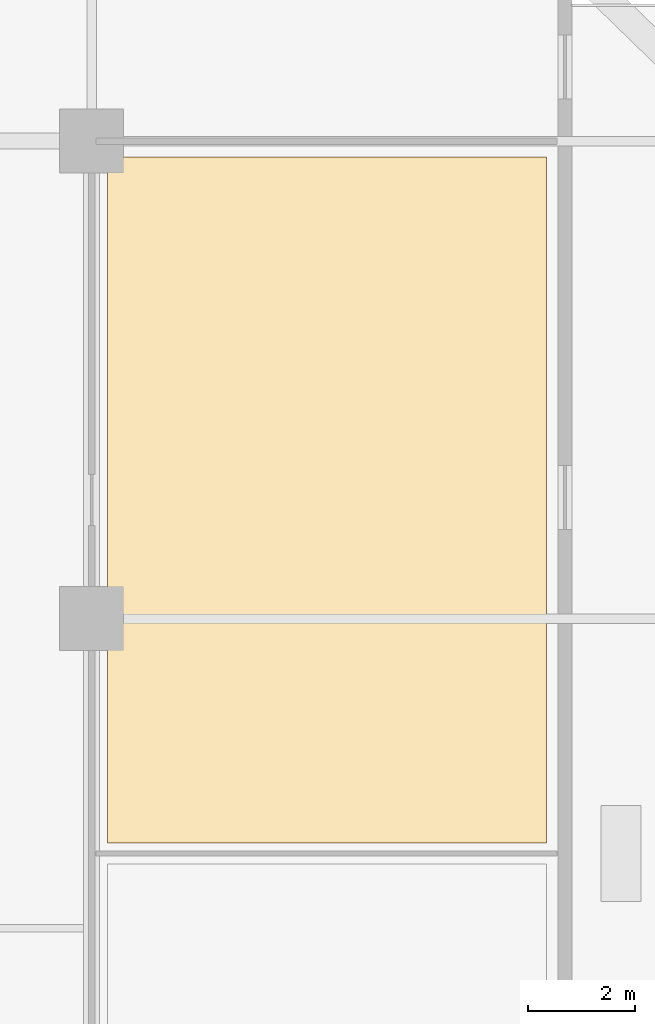
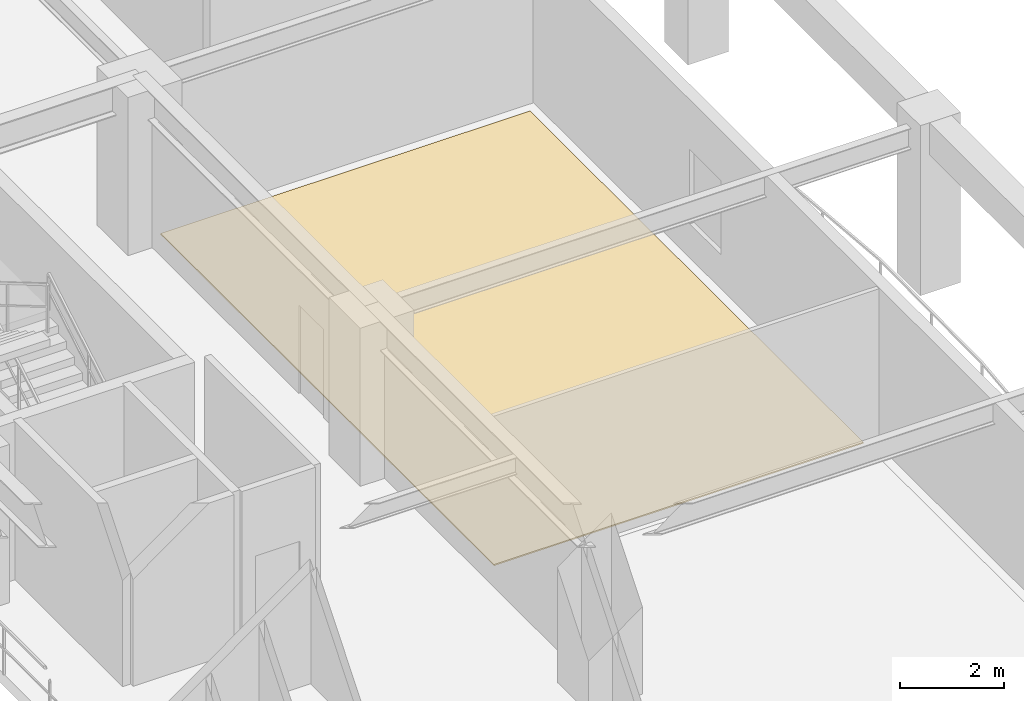
# One storey, part 12 of 13: 1 covering.
"""IFC4 building model written with IfcOpenShell, lengths in metres."""

from ifc_helpers import new_model, si_unit, direction, frame, origin, place, context, subcontext, project, spatial, polyline, outline, extrude, material, layer, layer_set, type_object, element, save


model = new_model("IFC4")

# Units and contexts
model_context = context("Model", 3, precision=1e-05, world=origin(), true_north=direction((0.0, 1.0)))
body_context = subcontext(model_context, "Body", "Model", "MODEL_VIEW")
ifc_project = project(units=[si_unit("LENGTHUNIT", "METRE"), si_unit("AREAUNIT", "SQUARE_METRE"), si_unit("VOLUMEUNIT", "CUBIC_METRE"), si_unit("PLANEANGLEUNIT", "RADIAN"), si_unit("MASSUNIT", "GRAM", prefix="KILO")], contexts=[model_context])

# Site, building, storey
site_placement = place(None, origin())
site = spatial("IfcSite", under=ifc_project, at=site_placement, CompositionType="ELEMENT")
building_placement = place(site_placement, origin())
building = spatial("IfcBuilding", under=site, at=building_placement, Name="Kundavana Baori Tower", CompositionType="ELEMENT")
storey_placement = place(building_placement, frame((0.0, 0.0, 34.0)))
storey = spatial("IfcBuildingStorey", under=building, at=storey_placement, Name="L07", CompositionType="ELEMENT", Elevation=34.0)

# Covering
ifc_material = material(Name="Honed Kota Stone and Terrazzo Flooring", Category="masonry")
ifc_layer = layer(ifc_material, 0.030029296875, Name="COV-INT-FLR")
ifc_layer_set = layer_set([ifc_layer], Name="Honed Kota Stone and Terrazzo Flooring")
covering_type = type_object("IfcCoveringType", Name="COV-INT-FLR", PredefinedType="FLOORING", material=ifc_layer_set)
covering_placement = place(storey_placement, origin())
element("IfcCovering", 1, at=covering_placement, inside=storey, type_object=covering_type, Name="L07 Room Finished Stone Flooring 4", PredefinedType="FLOORING", context=body_context, shape_type="SweptSolid", body=[
    extrude(outline(polyline([(43.10009765625, 28.800048828125), (51.320068359375, 28.800048828125), (51.320068359375, 41.64990234375), (43.10009765625, 41.64990234375), (43.10009765625, 28.800048828125)])), origin(), (0.0, 0.0, 1.0), 0.030029296875),
])

save(model, "model.ifc")
